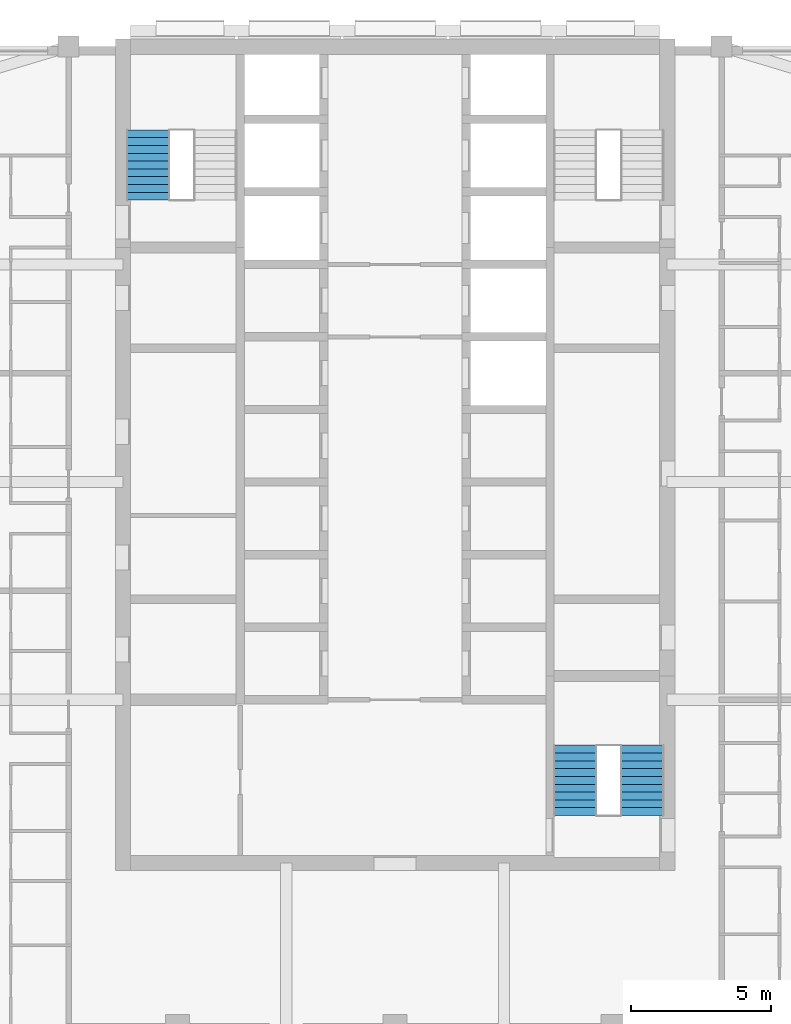
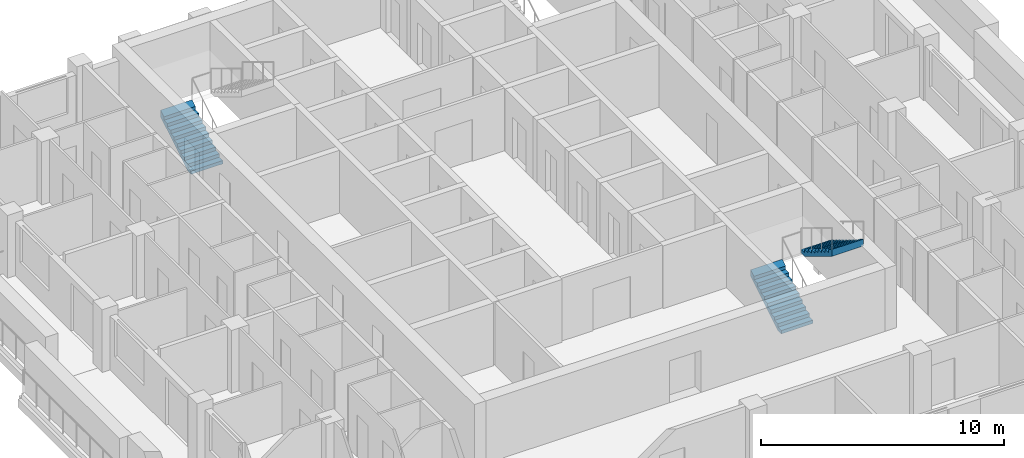
# One storey, part 10 of 14: 3 stair flights, 2 elements without a shape of their own.
"""IFC4 building model written with IfcOpenShell, lengths in metres."""

from ifc_helpers import new_model, si_unit, direction, frame, origin, place, context, subcontext, project, spatial, triangles, material, type_object, element, aggregate, save


model = new_model("IFC4")

# Units and contexts
model_context = context("Model", 3, precision=1e-05, world=origin(), true_north=direction((0.0, 1.0)))
body_context = subcontext(model_context, "Body", "Model", "MODEL_VIEW")
ifc_project = project(units=[si_unit("LENGTHUNIT", "METRE"), si_unit("AREAUNIT", "SQUARE_METRE"), si_unit("VOLUMEUNIT", "CUBIC_METRE"), si_unit("PLANEANGLEUNIT", "RADIAN"), si_unit("MASSUNIT", "GRAM", prefix="KILO")], contexts=[model_context])

# Site, building, storey
site_placement = place(None, origin())
site = spatial("IfcSite", under=ifc_project, at=site_placement, CompositionType="ELEMENT")
building_placement = place(site_placement, origin())
building = spatial("IfcBuilding", under=site, at=building_placement, Name="Ludao Terraces", CompositionType="ELEMENT")
storey_placement = place(building_placement, frame((0.0, 0.0, 182.60009765625)))
storey = spatial("IfcBuildingStorey", under=building, at=storey_placement, Name="L49", CompositionType="ELEMENT", Elevation=182.60009765625)

# Stair, stair flight
ifc_material = material(Name="Concrete C40", Category="concrete")
stair_type = type_object("IfcStairType", Name="INT Stair", PredefinedType="HALF_TURN_STAIR", material=ifc_material)
stair_1_placement = place(storey_placement, origin())
stair_1 = element("IfcStair", 1, at=stair_1_placement, inside=storey, type_object=stair_type, Name="EXIT STAIR 1", PredefinedType="HALF_TURN_STAIR")
stair_flight_type = type_object("IfcStairFlightType", Name="INT Stair flight", PredefinedType="STRAIGHT", material=ifc_material)
stair_flight_1_placement = place(storey_placement, frame((76.14990234375, 79.0, 0.0), z_axis=(0.0, 0.0, 1.0), x_axis=(0.0, 1.0, 0.0)))
stair_flight_1 = element("IfcStairFlight", 2, at=stair_flight_1_placement, type_object=stair_flight_type, Name="ST1 flight 1", NumberOfRisers=10, NumberOfTreads=9, PredefinedType="STRAIGHT", RiserHeight=0.17, TreadLength=0.28, context=body_context, shape_type="Tessellation", body=[
    triangles([(0.0, -0.75, 0.0), (0.0, -0.5, 0.0), (0.0, -0.25, 0.0), (0.0, 0.0, 0.0), (0.0, 0.25, 0.0), (0.0, 0.5, 0.0), (0.0, 0.75, 0.0), (0.0, -0.75, 0.169921875), (0.0, -0.5, 0.169921875), (0.0, -0.25, 0.169921875), (0.0, 0.0, 0.169921875), (0.0, 0.25, 0.169921875), (0.0, 0.5, 0.169921875), (0.0, 0.75, 0.169921875), (0.280029296875, -0.75, 0.169921875), (0.280029296875, -0.5, 0.169921875), (0.280029296875, -0.25, 0.169921875), (0.280029296875, 0.0, 0.169921875), (0.280029296875, 0.25, 0.169921875), (0.280029296875, 0.5, 0.169921875), (0.280029296875, 0.75, 0.169921875), (0.280029296875, -0.75, 0.340087890625), (0.280029296875, -0.5, 0.340087890625), (0.280029296875, -0.25, 0.340087890625), (0.280029296875, 0.0, 0.340087890625), (0.280029296875, 0.25, 0.340087890625), (0.280029296875, 0.5, 0.340087890625), (0.280029296875, 0.75, 0.340087890625), (0.56005859375, -0.75, 0.340087890625), (0.56005859375, -0.5, 0.340087890625), (0.56005859375, -0.25, 0.340087890625), (0.56005859375, 0.0, 0.340087890625), (0.56005859375, 0.25, 0.340087890625), (0.56005859375, 0.5, 0.340087890625), (0.56005859375, 0.75, 0.340087890625), (0.56005859375, -0.75, 0.510009765625), (0.56005859375, -0.5, 0.510009765625), (0.56005859375, -0.25, 0.510009765625), (0.56005859375, 0.0, 0.510009765625), (0.56005859375, 0.25, 0.510009765625), (0.56005859375, 0.5, 0.510009765625), (0.56005859375, 0.75, 0.510009765625), (0.840087890625, -0.75, 0.510009765625), (0.840087890625, -0.5, 0.510009765625), (0.840087890625, -0.25, 0.510009765625), (0.840087890625, 0.0, 0.510009765625), (0.840087890625, 0.25, 0.510009765625), (0.840087890625, 0.5, 0.510009765625), (0.840087890625, 0.75, 0.510009765625), (0.840087890625, -0.75, 0.679931640625), (0.840087890625, -0.5, 0.679931640625), (0.840087890625, -0.25, 0.679931640625), (0.840087890625, 0.0, 0.679931640625), (0.840087890625, 0.25, 0.679931640625), (0.840087890625, 0.5, 0.679931640625), (0.840087890625, 0.75, 0.679931640625), (1.1201171875, -0.75, 0.679931640625), (1.1201171875, -0.5, 0.679931640625), (1.1201171875, -0.25, 0.679931640625), (1.1201171875, 0.0, 0.679931640625), (1.1201171875, 0.25, 0.679931640625), (1.1201171875, 0.5, 0.679931640625), (1.1201171875, 0.75, 0.679931640625), (1.1201171875, -0.75, 0.85009765625), (1.1201171875, -0.5, 0.85009765625), (1.1201171875, -0.25, 0.85009765625), (1.1201171875, 0.0, 0.85009765625), (1.1201171875, 0.25, 0.85009765625), (1.1201171875, 0.5, 0.85009765625), (1.1201171875, 0.75, 0.85009765625), (1.39990234375, -0.75, 0.85009765625), (1.39990234375, -0.5, 0.85009765625), (1.39990234375, -0.25, 0.85009765625), (1.39990234375, 0.0, 0.85009765625), (1.39990234375, 0.25, 0.85009765625), (1.39990234375, 0.5, 0.85009765625), (1.39990234375, 0.75, 0.85009765625), (1.39990234375, -0.75, 1.02001953125), (1.39990234375, -0.5, 1.02001953125), (1.39990234375, -0.25, 1.02001953125), (1.39990234375, 0.0, 1.02001953125), (1.39990234375, 0.25, 1.02001953125), (1.39990234375, 0.5, 1.02001953125), (1.39990234375, 0.75, 1.02001953125), (1.679931640625, -0.75, 1.02001953125), (1.679931640625, -0.5, 1.02001953125), (1.679931640625, -0.25, 1.02001953125), (1.679931640625, 0.0, 1.02001953125), (1.679931640625, 0.25, 1.02001953125), (1.679931640625, 0.5, 1.02001953125), (1.679931640625, 0.75, 1.02001953125), (1.679931640625, -0.75, 1.18994140625), (1.679931640625, -0.5, 1.18994140625), (1.679931640625, -0.25, 1.18994140625), (1.679931640625, 0.0, 1.18994140625), (1.679931640625, 0.25, 1.18994140625), (1.679931640625, 0.5, 1.18994140625), (1.679931640625, 0.75, 1.18994140625), (1.9599609375, -0.75, 1.18994140625), (1.9599609375, -0.5, 1.18994140625), (1.9599609375, -0.25, 1.18994140625), (1.9599609375, 0.0, 1.18994140625), (1.9599609375, 0.25, 1.18994140625), (1.9599609375, 0.5, 1.18994140625), (1.9599609375, 0.75, 1.18994140625), (1.9599609375, -0.75, 1.360107421875), (1.9599609375, -0.5, 1.360107421875), (1.9599609375, -0.25, 1.360107421875), (1.9599609375, 0.0, 1.360107421875), (1.9599609375, 0.25, 1.360107421875), (1.9599609375, 0.5, 1.360107421875), (1.9599609375, 0.75, 1.360107421875), (2.239990234375, -0.75, 1.360107421875), (2.239990234375, -0.5, 1.360107421875), (2.239990234375, -0.25, 1.360107421875), (2.239990234375, 0.0, 1.360107421875), (2.239990234375, 0.25, 1.360107421875), (2.239990234375, 0.5, 1.360107421875), (2.239990234375, 0.75, 1.360107421875), (2.239990234375, -0.75, 1.530029296875), (2.239990234375, -0.5, 1.530029296875), (2.239990234375, -0.25, 1.530029296875), (2.239990234375, 0.0, 1.530029296875), (2.239990234375, 0.25, 1.530029296875), (2.239990234375, 0.5, 1.530029296875), (2.239990234375, 0.75, 1.530029296875), (2.52001953125, -0.75, 1.699951171875), (2.52001953125, -0.5, 1.699951171875), (2.52001953125, -0.25, 1.699951171875), (2.52001953125, 0.0, 1.699951171875), (2.52001953125, 0.25, 1.699951171875), (2.52001953125, 0.5, 1.699951171875), (2.52001953125, 0.75, 1.699951171875), (2.52001953125, -0.75, 1.354736328125), (2.52001953125, -0.5, 1.354736328125), (2.52001953125, -0.25, 1.354736328125), (2.52001953125, 0.0, 1.354736328125), (2.52001953125, 0.25, 1.354736328125), (2.52001953125, 0.5, 1.354736328125), (2.52001953125, 0.75, 1.354736328125), (0.288818359375, -0.75, 0.0), (0.288818359375, -0.5, 0.0), (0.288818359375, -0.25, 0.0), (0.288818359375, 0.0, 0.0), (0.288818359375, 0.25, 0.0), (0.288818359375, 0.5, 0.0), (0.288818359375, 0.75, 0.0)], [[1, 141, 134], [7, 140, 147], [134, 127, 120], [140, 126, 133], [134, 120, 113], [140, 119, 126], [134, 113, 106], [140, 112, 119], [134, 106, 99], [140, 105, 112], [99, 92, 85], [105, 91, 98], [134, 99, 85], [140, 91, 105], [85, 78, 71], [91, 77, 84], [134, 85, 71], [140, 77, 91], [71, 64, 57], [77, 63, 70], [134, 71, 57], [140, 63, 77], [57, 50, 43], [63, 49, 56], [134, 57, 43], [140, 49, 63], [43, 36, 29], [49, 35, 42], [134, 43, 29], [140, 35, 49], [29, 22, 15], [35, 21, 28], [134, 29, 15], [140, 21, 35], [1, 134, 15], [7, 21, 140], [15, 8, 1], [21, 7, 14], [1, 9, 2], [1, 8, 9], [2, 10, 3], [2, 9, 10], [3, 11, 4], [3, 10, 11], [4, 12, 5], [4, 11, 12], [5, 13, 6], [5, 12, 13], [6, 14, 7], [6, 13, 14], [8, 16, 9], [8, 15, 16], [9, 17, 10], [9, 16, 17], [10, 18, 11], [10, 17, 18], [11, 19, 12], [11, 18, 19], [12, 20, 13], [12, 19, 20], [13, 21, 14], [13, 20, 21], [15, 23, 16], [15, 22, 23], [16, 24, 17], [16, 23, 24], [17, 25, 18], [17, 24, 25], [18, 26, 19], [18, 25, 26], [19, 27, 20], [19, 26, 27], [20, 28, 21], [20, 27, 28], [22, 30, 23], [22, 29, 30], [23, 31, 24], [23, 30, 31], [24, 32, 25], [24, 31, 32], [25, 33, 26], [25, 32, 33], [26, 34, 27], [26, 33, 34], [27, 35, 28], [27, 34, 35], [29, 37, 30], [29, 36, 37], [30, 38, 31], [30, 37, 38], [31, 39, 32], [31, 38, 39], [32, 40, 33], [32, 39, 40], [33, 41, 34], [33, 40, 41], [34, 42, 35], [34, 41, 42], [36, 44, 37], [36, 43, 44], [37, 45, 38], [37, 44, 45], [38, 46, 39], [38, 45, 46], [39, 47, 40], [39, 46, 47], [40, 48, 41], [40, 47, 48], [41, 49, 42], [41, 48, 49], [43, 51, 44], [43, 50, 51], [44, 52, 45], [44, 51, 52], [45, 53, 46], [45, 52, 53], [46, 54, 47], [46, 53, 54], [47, 55, 48], [47, 54, 55], [48, 56, 49], [48, 55, 56], [50, 58, 51], [50, 57, 58], [51, 59, 52], [51, 58, 59], [52, 60, 53], [52, 59, 60], [53, 61, 54], [53, 60, 61], [54, 62, 55], [54, 61, 62], [55, 63, 56], [55, 62, 63], [57, 65, 58], [57, 64, 65], [58, 66, 59], [58, 65, 66], [59, 67, 60], [59, 66, 67], [60, 68, 61], [60, 67, 68], [61, 69, 62], [61, 68, 69], [62, 70, 63], [62, 69, 70], [64, 72, 65], [64, 71, 72], [65, 73, 66], [65, 72, 73], [66, 74, 67], [66, 73, 74], [67, 75, 68], [67, 74, 75], [68, 76, 69], [68, 75, 76], [69, 77, 70], [69, 76, 77], [71, 79, 72], [71, 78, 79], [72, 80, 73], [72, 79, 80], [73, 81, 74], [73, 80, 81], [74, 82, 75], [74, 81, 82], [75, 83, 76], [75, 82, 83], [76, 84, 77], [76, 83, 84], [78, 86, 79], [78, 85, 86], [79, 87, 80], [79, 86, 87], [80, 88, 81], [80, 87, 88], [81, 89, 82], [81, 88, 89], [82, 90, 83], [82, 89, 90], [83, 91, 84], [83, 90, 91], [85, 93, 86], [85, 92, 93], [86, 94, 87], [86, 93, 94], [87, 95, 88], [87, 94, 95], [88, 96, 89], [88, 95, 96], [89, 97, 90], [89, 96, 97], [90, 98, 91], [90, 97, 98], [92, 100, 93], [92, 99, 100], [93, 101, 94], [93, 100, 101], [94, 102, 95], [94, 101, 102], [95, 103, 96], [95, 102, 103], [96, 104, 97], [96, 103, 104], [97, 105, 98], [97, 104, 105], [99, 107, 100], [99, 106, 107], [100, 108, 101], [100, 107, 108], [101, 109, 102], [101, 108, 109], [102, 110, 103], [102, 109, 110], [103, 111, 104], [103, 110, 111], [104, 112, 105], [104, 111, 112], [106, 114, 107], [106, 113, 114], [107, 115, 108], [107, 114, 115], [108, 116, 109], [108, 115, 116], [109, 117, 110], [109, 116, 117], [110, 118, 111], [110, 117, 118], [111, 119, 112], [111, 118, 119], [113, 121, 114], [113, 120, 121], [114, 122, 115], [114, 121, 122], [115, 123, 116], [115, 122, 123], [116, 124, 117], [116, 123, 124], [117, 125, 118], [117, 124, 125], [118, 126, 119], [118, 125, 126], [120, 128, 121], [120, 127, 128], [121, 129, 122], [121, 128, 129], [122, 130, 123], [122, 129, 130], [123, 131, 124], [123, 130, 131], [124, 132, 125], [124, 131, 132], [125, 133, 126], [125, 132, 133], [127, 135, 128], [127, 134, 135], [128, 136, 129], [128, 135, 136], [129, 137, 130], [129, 136, 137], [130, 138, 131], [130, 137, 138], [131, 139, 132], [131, 138, 139], [132, 140, 133], [132, 139, 140], [134, 142, 135], [134, 141, 142], [135, 143, 136], [135, 142, 143], [136, 144, 137], [136, 143, 144], [137, 145, 138], [137, 144, 145], [138, 146, 139], [138, 145, 146], [139, 147, 140], [139, 146, 147], [141, 2, 142], [141, 1, 2], [142, 3, 143], [142, 2, 3], [143, 4, 144], [143, 3, 4], [144, 5, 145], [144, 4, 5], [145, 6, 146], [145, 5, 6], [146, 7, 147], [146, 6, 7]], closed=True),
])
aggregate(stair_1, [stair_flight_1])

# Stair, stair flights
stair_2_placement = place(storey_placement, origin())
stair_2 = element("IfcStair", 3, at=stair_2_placement, inside=storey, type_object=stair_type, Name="EXIT STAIR 3", PredefinedType="HALF_TURN_STAIR")
stair_flight_2_placement = place(storey_placement, frame((91.449951171875, 56.949951171875, 0.0), z_axis=(0.0, 0.0, 1.0), x_axis=(0.0, 1.0, 0.0)))
stair_flight_2 = element("IfcStairFlight", 4, at=stair_flight_2_placement, type_object=stair_flight_type, Name="ST3 flight 1", NumberOfRisers=10, NumberOfTreads=9, PredefinedType="STRAIGHT", RiserHeight=0.17, TreadLength=0.28, context=body_context, shape_type="Tessellation", body=[
    triangles([(0.0, -0.75, 0.0), (0.0, -0.5, 0.0), (0.0, -0.25, 0.0), (0.0, 0.0, 0.0), (0.0, 0.25, 0.0), (0.0, 0.5, 0.0), (0.0, 0.75, 0.0), (0.0, -0.75, 0.169921875), (0.0, -0.5, 0.169921875), (0.0, -0.25, 0.169921875), (0.0, 0.0, 0.169921875), (0.0, 0.25, 0.169921875), (0.0, 0.5, 0.169921875), (0.0, 0.75, 0.169921875), (0.280029296875, -0.75, 0.169921875), (0.280029296875, -0.5, 0.169921875), (0.280029296875, -0.25, 0.169921875), (0.280029296875, 0.0, 0.169921875), (0.280029296875, 0.25, 0.169921875), (0.280029296875, 0.5, 0.169921875), (0.280029296875, 0.75, 0.169921875), (0.280029296875, -0.75, 0.340087890625), (0.280029296875, -0.5, 0.340087890625), (0.280029296875, -0.25, 0.340087890625), (0.280029296875, 0.0, 0.340087890625), (0.280029296875, 0.25, 0.340087890625), (0.280029296875, 0.5, 0.340087890625), (0.280029296875, 0.75, 0.340087890625), (0.56005859375, -0.75, 0.340087890625), (0.56005859375, -0.5, 0.340087890625), (0.56005859375, -0.25, 0.340087890625), (0.56005859375, 0.0, 0.340087890625), (0.56005859375, 0.25, 0.340087890625), (0.56005859375, 0.5, 0.340087890625), (0.56005859375, 0.75, 0.340087890625), (0.56005859375, -0.75, 0.510009765625), (0.56005859375, -0.5, 0.510009765625), (0.56005859375, -0.25, 0.510009765625), (0.56005859375, 0.0, 0.510009765625), (0.56005859375, 0.25, 0.510009765625), (0.56005859375, 0.5, 0.510009765625), (0.56005859375, 0.75, 0.510009765625), (0.840087890625, -0.75, 0.510009765625), (0.840087890625, -0.5, 0.510009765625), (0.840087890625, -0.25, 0.510009765625), (0.840087890625, 0.0, 0.510009765625), (0.840087890625, 0.25, 0.510009765625), (0.840087890625, 0.5, 0.510009765625), (0.840087890625, 0.75, 0.510009765625), (0.840087890625, -0.75, 0.679931640625), (0.840087890625, -0.5, 0.679931640625), (0.840087890625, -0.25, 0.679931640625), (0.840087890625, 0.0, 0.679931640625), (0.840087890625, 0.25, 0.679931640625), (0.840087890625, 0.5, 0.679931640625), (0.840087890625, 0.75, 0.679931640625), (1.1201171875, -0.75, 0.679931640625), (1.1201171875, -0.5, 0.679931640625), (1.1201171875, -0.25, 0.679931640625), (1.1201171875, 0.0, 0.679931640625), (1.1201171875, 0.25, 0.679931640625), (1.1201171875, 0.5, 0.679931640625), (1.1201171875, 0.75, 0.679931640625), (1.1201171875, -0.75, 0.85009765625), (1.1201171875, -0.5, 0.85009765625), (1.1201171875, -0.25, 0.85009765625), (1.1201171875, 0.0, 0.85009765625), (1.1201171875, 0.25, 0.85009765625), (1.1201171875, 0.5, 0.85009765625), (1.1201171875, 0.75, 0.85009765625), (1.39990234375, -0.75, 0.85009765625), (1.39990234375, -0.5, 0.85009765625), (1.39990234375, -0.25, 0.85009765625), (1.39990234375, 0.0, 0.85009765625), (1.39990234375, 0.25, 0.85009765625), (1.39990234375, 0.5, 0.85009765625), (1.39990234375, 0.75, 0.85009765625), (1.39990234375, -0.75, 1.02001953125), (1.39990234375, -0.5, 1.02001953125), (1.39990234375, -0.25, 1.02001953125), (1.39990234375, 0.0, 1.02001953125), (1.39990234375, 0.25, 1.02001953125), (1.39990234375, 0.5, 1.02001953125), (1.39990234375, 0.75, 1.02001953125), (1.679931640625, -0.75, 1.02001953125), (1.679931640625, -0.5, 1.02001953125), (1.679931640625, -0.25, 1.02001953125), (1.679931640625, 0.0, 1.02001953125), (1.679931640625, 0.25, 1.02001953125), (1.679931640625, 0.5, 1.02001953125), (1.679931640625, 0.75, 1.02001953125), (1.679931640625, -0.75, 1.18994140625), (1.679931640625, -0.5, 1.18994140625), (1.679931640625, -0.25, 1.18994140625), (1.679931640625, 0.0, 1.18994140625), (1.679931640625, 0.25, 1.18994140625), (1.679931640625, 0.5, 1.18994140625), (1.679931640625, 0.75, 1.18994140625), (1.9599609375, -0.75, 1.18994140625), (1.9599609375, -0.5, 1.18994140625), (1.9599609375, -0.25, 1.18994140625), (1.9599609375, 0.0, 1.18994140625), (1.9599609375, 0.25, 1.18994140625), (1.9599609375, 0.5, 1.18994140625), (1.9599609375, 0.75, 1.18994140625), (1.9599609375, -0.75, 1.360107421875), (1.9599609375, -0.5, 1.360107421875), (1.9599609375, -0.25, 1.360107421875), (1.9599609375, 0.0, 1.360107421875), (1.9599609375, 0.25, 1.360107421875), (1.9599609375, 0.5, 1.360107421875), (1.9599609375, 0.75, 1.360107421875), (2.239990234375, -0.75, 1.360107421875), (2.239990234375, -0.5, 1.360107421875), (2.239990234375, -0.25, 1.360107421875), (2.239990234375, 0.0, 1.360107421875), (2.239990234375, 0.25, 1.360107421875), (2.239990234375, 0.5, 1.360107421875), (2.239990234375, 0.75, 1.360107421875), (2.239990234375, -0.75, 1.530029296875), (2.239990234375, -0.5, 1.530029296875), (2.239990234375, -0.25, 1.530029296875), (2.239990234375, 0.0, 1.530029296875), (2.239990234375, 0.25, 1.530029296875), (2.239990234375, 0.5, 1.530029296875), (2.239990234375, 0.75, 1.530029296875), (2.52001953125, -0.75, 1.699951171875), (2.52001953125, -0.5, 1.699951171875), (2.52001953125, -0.25, 1.699951171875), (2.52001953125, 0.0, 1.699951171875), (2.52001953125, 0.25, 1.699951171875), (2.52001953125, 0.5, 1.699951171875), (2.52001953125, 0.75, 1.699951171875), (2.52001953125, -0.75, 1.354736328125), (2.52001953125, -0.5, 1.354736328125), (2.52001953125, -0.25, 1.354736328125), (2.52001953125, 0.0, 1.354736328125), (2.52001953125, 0.25, 1.354736328125), (2.52001953125, 0.5, 1.354736328125), (2.52001953125, 0.75, 1.354736328125), (0.288818359375, -0.75, 0.0), (0.288818359375, -0.5, 0.0), (0.288818359375, -0.25, 0.0), (0.288818359375, 0.0, 0.0), (0.288818359375, 0.25, 0.0), (0.288818359375, 0.5, 0.0), (0.288818359375, 0.75, 0.0)], [[1, 141, 134], [7, 140, 147], [134, 127, 120], [140, 126, 133], [134, 120, 113], [140, 119, 126], [134, 113, 106], [140, 112, 119], [134, 106, 99], [140, 105, 112], [99, 92, 85], [105, 91, 98], [134, 99, 85], [140, 91, 105], [85, 78, 71], [91, 77, 84], [134, 85, 71], [140, 77, 91], [71, 64, 57], [77, 63, 70], [134, 71, 57], [140, 63, 77], [57, 50, 43], [63, 49, 56], [134, 57, 43], [140, 49, 63], [43, 36, 29], [49, 35, 42], [134, 43, 29], [140, 35, 49], [29, 22, 15], [35, 21, 28], [134, 29, 15], [140, 21, 35], [1, 134, 15], [7, 21, 140], [15, 8, 1], [21, 7, 14], [1, 9, 2], [1, 8, 9], [2, 10, 3], [2, 9, 10], [3, 11, 4], [3, 10, 11], [4, 12, 5], [4, 11, 12], [5, 13, 6], [5, 12, 13], [6, 14, 7], [6, 13, 14], [8, 16, 9], [8, 15, 16], [9, 17, 10], [9, 16, 17], [10, 18, 11], [10, 17, 18], [11, 19, 12], [11, 18, 19], [12, 20, 13], [12, 19, 20], [13, 21, 14], [13, 20, 21], [15, 23, 16], [15, 22, 23], [16, 24, 17], [16, 23, 24], [17, 25, 18], [17, 24, 25], [18, 26, 19], [18, 25, 26], [19, 27, 20], [19, 26, 27], [20, 28, 21], [20, 27, 28], [22, 30, 23], [22, 29, 30], [23, 31, 24], [23, 30, 31], [24, 32, 25], [24, 31, 32], [25, 33, 26], [25, 32, 33], [26, 34, 27], [26, 33, 34], [27, 35, 28], [27, 34, 35], [29, 37, 30], [29, 36, 37], [30, 38, 31], [30, 37, 38], [31, 39, 32], [31, 38, 39], [32, 40, 33], [32, 39, 40], [33, 41, 34], [33, 40, 41], [34, 42, 35], [34, 41, 42], [36, 44, 37], [36, 43, 44], [37, 45, 38], [37, 44, 45], [38, 46, 39], [38, 45, 46], [39, 47, 40], [39, 46, 47], [40, 48, 41], [40, 47, 48], [41, 49, 42], [41, 48, 49], [43, 51, 44], [43, 50, 51], [44, 52, 45], [44, 51, 52], [45, 53, 46], [45, 52, 53], [46, 54, 47], [46, 53, 54], [47, 55, 48], [47, 54, 55], [48, 56, 49], [48, 55, 56], [50, 58, 51], [50, 57, 58], [51, 59, 52], [51, 58, 59], [52, 60, 53], [52, 59, 60], [53, 61, 54], [53, 60, 61], [54, 62, 55], [54, 61, 62], [55, 63, 56], [55, 62, 63], [57, 65, 58], [57, 64, 65], [58, 66, 59], [58, 65, 66], [59, 67, 60], [59, 66, 67], [60, 68, 61], [60, 67, 68], [61, 69, 62], [61, 68, 69], [62, 70, 63], [62, 69, 70], [64, 72, 65], [64, 71, 72], [65, 73, 66], [65, 72, 73], [66, 74, 67], [66, 73, 74], [67, 75, 68], [67, 74, 75], [68, 76, 69], [68, 75, 76], [69, 77, 70], [69, 76, 77], [71, 79, 72], [71, 78, 79], [72, 80, 73], [72, 79, 80], [73, 81, 74], [73, 80, 81], [74, 82, 75], [74, 81, 82], [75, 83, 76], [75, 82, 83], [76, 84, 77], [76, 83, 84], [78, 86, 79], [78, 85, 86], [79, 87, 80], [79, 86, 87], [80, 88, 81], [80, 87, 88], [81, 89, 82], [81, 88, 89], [82, 90, 83], [82, 89, 90], [83, 91, 84], [83, 90, 91], [85, 93, 86], [85, 92, 93], [86, 94, 87], [86, 93, 94], [87, 95, 88], [87, 94, 95], [88, 96, 89], [88, 95, 96], [89, 97, 90], [89, 96, 97], [90, 98, 91], [90, 97, 98], [92, 100, 93], [92, 99, 100], [93, 101, 94], [93, 100, 101], [94, 102, 95], [94, 101, 102], [95, 103, 96], [95, 102, 103], [96, 104, 97], [96, 103, 104], [97, 105, 98], [97, 104, 105], [99, 107, 100], [99, 106, 107], [100, 108, 101], [100, 107, 108], [101, 109, 102], [101, 108, 109], [102, 110, 103], [102, 109, 110], [103, 111, 104], [103, 110, 111], [104, 112, 105], [104, 111, 112], [106, 114, 107], [106, 113, 114], [107, 115, 108], [107, 114, 115], [108, 116, 109], [108, 115, 116], [109, 117, 110], [109, 116, 117], [110, 118, 111], [110, 117, 118], [111, 119, 112], [111, 118, 119], [113, 121, 114], [113, 120, 121], [114, 122, 115], [114, 121, 122], [115, 123, 116], [115, 122, 123], [116, 124, 117], [116, 123, 124], [117, 125, 118], [117, 124, 125], [118, 126, 119], [118, 125, 126], [120, 128, 121], [120, 127, 128], [121, 129, 122], [121, 128, 129], [122, 130, 123], [122, 129, 130], [123, 131, 124], [123, 130, 131], [124, 132, 125], [124, 131, 132], [125, 133, 126], [125, 132, 133], [127, 135, 128], [127, 134, 135], [128, 136, 129], [128, 135, 136], [129, 137, 130], [129, 136, 137], [130, 138, 131], [130, 137, 138], [131, 139, 132], [131, 138, 139], [132, 140, 133], [132, 139, 140], [134, 142, 135], [134, 141, 142], [135, 143, 136], [135, 142, 143], [136, 144, 137], [136, 143, 144], [137, 145, 138], [137, 144, 145], [138, 146, 139], [138, 145, 146], [139, 147, 140], [139, 146, 147], [141, 2, 142], [141, 1, 2], [142, 3, 143], [142, 2, 3], [143, 4, 144], [143, 3, 4], [144, 5, 145], [144, 4, 5], [145, 6, 146], [145, 5, 6], [146, 7, 147], [146, 6, 7]], closed=True),
])
stair_flight_3_placement = place(storey_placement, frame((93.85009765625, 59.469970703125, 1.699951171875), z_axis=(0.0, 0.0, 1.0), x_axis=(0.0, -1.0, 0.0)))
stair_flight_3 = element("IfcStairFlight", 5, at=stair_flight_3_placement, type_object=stair_flight_type, Name="ST3 flight 2", NumberOfRisers=10, NumberOfTreads=9, PredefinedType="STRAIGHT", RiserHeight=0.17, TreadLength=0.28, context=body_context, shape_type="Tessellation", body=[
    triangles([(0.0, -0.75, 0.0), (0.0, -0.5, 0.0), (0.0, -0.25, 0.0), (0.0, 0.0, 0.0), (0.0, 0.25, 0.0), (0.0, 0.5, 0.0), (0.0, 0.75, 0.0), (0.0, -0.75, 0.169921875), (0.0, -0.5, 0.169921875), (0.0, -0.25, 0.169921875), (0.0, 0.0, 0.169921875), (0.0, 0.25, 0.169921875), (0.0, 0.5, 0.169921875), (0.0, 0.75, 0.169921875), (0.280029296875, -0.75, 0.169921875), (0.280029296875, -0.5, 0.169921875), (0.280029296875, -0.25, 0.169921875), (0.280029296875, 0.0, 0.169921875), (0.280029296875, 0.25, 0.169921875), (0.280029296875, 0.5, 0.169921875), (0.280029296875, 0.75, 0.169921875), (0.280029296875, -0.75, 0.340087890625), (0.280029296875, -0.5, 0.340087890625), (0.280029296875, -0.25, 0.340087890625), (0.280029296875, 0.0, 0.340087890625), (0.280029296875, 0.25, 0.340087890625), (0.280029296875, 0.5, 0.340087890625), (0.280029296875, 0.75, 0.340087890625), (0.56005859375, -0.75, 0.340087890625), (0.56005859375, -0.5, 0.340087890625), (0.56005859375, -0.25, 0.340087890625), (0.56005859375, 0.0, 0.340087890625), (0.56005859375, 0.25, 0.340087890625), (0.56005859375, 0.5, 0.340087890625), (0.56005859375, 0.75, 0.340087890625), (0.56005859375, -0.75, 0.510009765625), (0.56005859375, -0.5, 0.510009765625), (0.56005859375, -0.25, 0.510009765625), (0.56005859375, 0.0, 0.510009765625), (0.56005859375, 0.25, 0.510009765625), (0.56005859375, 0.5, 0.510009765625), (0.56005859375, 0.75, 0.510009765625), (0.840087890625, -0.75, 0.510009765625), (0.840087890625, -0.5, 0.510009765625), (0.840087890625, -0.25, 0.510009765625), (0.840087890625, 0.0, 0.510009765625), (0.840087890625, 0.25, 0.510009765625), (0.840087890625, 0.5, 0.510009765625), (0.840087890625, 0.75, 0.510009765625), (0.840087890625, -0.75, 0.679931640625), (0.840087890625, -0.5, 0.679931640625), (0.840087890625, -0.25, 0.679931640625), (0.840087890625, 0.0, 0.679931640625), (0.840087890625, 0.25, 0.679931640625), (0.840087890625, 0.5, 0.679931640625), (0.840087890625, 0.75, 0.679931640625), (1.1201171875, -0.75, 0.679931640625), (1.1201171875, -0.5, 0.679931640625), (1.1201171875, -0.25, 0.679931640625), (1.1201171875, 0.0, 0.679931640625), (1.1201171875, 0.25, 0.679931640625), (1.1201171875, 0.5, 0.679931640625), (1.1201171875, 0.75, 0.679931640625), (1.1201171875, -0.75, 0.85009765625), (1.1201171875, -0.5, 0.85009765625), (1.1201171875, -0.25, 0.85009765625), (1.1201171875, 0.0, 0.85009765625), (1.1201171875, 0.25, 0.85009765625), (1.1201171875, 0.5, 0.85009765625), (1.1201171875, 0.75, 0.85009765625), (1.39990234375, -0.75, 0.85009765625), (1.39990234375, -0.5, 0.85009765625), (1.39990234375, -0.25, 0.85009765625), (1.39990234375, 0.0, 0.85009765625), (1.39990234375, 0.25, 0.85009765625), (1.39990234375, 0.5, 0.85009765625), (1.39990234375, 0.75, 0.85009765625), (1.39990234375, -0.75, 1.02001953125), (1.39990234375, -0.5, 1.02001953125), (1.39990234375, -0.25, 1.02001953125), (1.39990234375, 0.0, 1.02001953125), (1.39990234375, 0.25, 1.02001953125), (1.39990234375, 0.5, 1.02001953125), (1.39990234375, 0.75, 1.02001953125), (1.679931640625, -0.75, 1.02001953125), (1.679931640625, -0.5, 1.02001953125), (1.679931640625, -0.25, 1.02001953125), (1.679931640625, 0.0, 1.02001953125), (1.679931640625, 0.25, 1.02001953125), (1.679931640625, 0.5, 1.02001953125), (1.679931640625, 0.75, 1.02001953125), (1.679931640625, -0.75, 1.18994140625), (1.679931640625, -0.5, 1.18994140625), (1.679931640625, -0.25, 1.18994140625), (1.679931640625, 0.0, 1.18994140625), (1.679931640625, 0.25, 1.18994140625), (1.679931640625, 0.5, 1.18994140625), (1.679931640625, 0.75, 1.18994140625), (1.9599609375, -0.75, 1.18994140625), (1.9599609375, -0.5, 1.18994140625), (1.9599609375, -0.25, 1.18994140625), (1.9599609375, 0.0, 1.18994140625), (1.9599609375, 0.25, 1.18994140625), (1.9599609375, 0.5, 1.18994140625), (1.9599609375, 0.75, 1.18994140625), (1.9599609375, -0.75, 1.360107421875), (1.9599609375, -0.5, 1.360107421875), (1.9599609375, -0.25, 1.360107421875), (1.9599609375, 0.0, 1.360107421875), (1.9599609375, 0.25, 1.360107421875), (1.9599609375, 0.5, 1.360107421875), (1.9599609375, 0.75, 1.360107421875), (2.239990234375, -0.75, 1.360107421875), (2.239990234375, -0.5, 1.360107421875), (2.239990234375, -0.25, 1.360107421875), (2.239990234375, 0.0, 1.360107421875), (2.239990234375, 0.25, 1.360107421875), (2.239990234375, 0.5, 1.360107421875), (2.239990234375, 0.75, 1.360107421875), (2.239990234375, -0.75, 1.530029296875), (2.239990234375, -0.5, 1.530029296875), (2.239990234375, -0.25, 1.530029296875), (2.239990234375, 0.0, 1.530029296875), (2.239990234375, 0.25, 1.530029296875), (2.239990234375, 0.5, 1.530029296875), (2.239990234375, 0.75, 1.530029296875), (2.52001953125, -0.75, 1.699951171875), (2.52001953125, -0.5, 1.699951171875), (2.52001953125, -0.25, 1.699951171875), (2.52001953125, 0.0, 1.699951171875), (2.52001953125, 0.25, 1.699951171875), (2.52001953125, 0.5, 1.699951171875), (2.52001953125, 0.75, 1.699951171875), (2.52001953125, -0.75, 1.354736328125), (2.52001953125, -0.5, 1.354736328125), (2.52001953125, -0.25, 1.354736328125), (2.52001953125, 0.0, 1.354736328125), (2.52001953125, 0.25, 1.354736328125), (2.52001953125, 0.5, 1.354736328125), (2.52001953125, 0.75, 1.354736328125), (0.288818359375, -0.75, 0.0), (0.288818359375, -0.5, 0.0), (0.288818359375, -0.25, 0.0), (0.288818359375, 0.0, 0.0), (0.288818359375, 0.25, 0.0), (0.288818359375, 0.5, 0.0), (0.288818359375, 0.75, 0.0)], [[1, 141, 134], [7, 140, 147], [134, 127, 120], [140, 126, 133], [134, 120, 113], [140, 119, 126], [134, 113, 106], [140, 112, 119], [134, 106, 99], [140, 105, 112], [99, 92, 85], [105, 91, 98], [134, 99, 85], [140, 91, 105], [85, 78, 71], [91, 77, 84], [134, 85, 71], [140, 77, 91], [71, 64, 57], [77, 63, 70], [134, 71, 57], [140, 63, 77], [57, 50, 43], [63, 49, 56], [134, 57, 43], [140, 49, 63], [43, 36, 29], [49, 35, 42], [134, 43, 29], [140, 35, 49], [29, 22, 15], [35, 21, 28], [134, 29, 15], [140, 21, 35], [1, 134, 15], [7, 21, 140], [15, 8, 1], [21, 7, 14], [1, 9, 2], [1, 8, 9], [2, 10, 3], [2, 9, 10], [3, 11, 4], [3, 10, 11], [4, 12, 5], [4, 11, 12], [5, 13, 6], [5, 12, 13], [6, 14, 7], [6, 13, 14], [8, 16, 9], [8, 15, 16], [9, 17, 10], [9, 16, 17], [10, 18, 11], [10, 17, 18], [11, 19, 12], [11, 18, 19], [12, 20, 13], [12, 19, 20], [13, 21, 14], [13, 20, 21], [15, 23, 16], [15, 22, 23], [16, 24, 17], [16, 23, 24], [17, 25, 18], [17, 24, 25], [18, 26, 19], [18, 25, 26], [19, 27, 20], [19, 26, 27], [20, 28, 21], [20, 27, 28], [22, 30, 23], [22, 29, 30], [23, 31, 24], [23, 30, 31], [24, 32, 25], [24, 31, 32], [25, 33, 26], [25, 32, 33], [26, 34, 27], [26, 33, 34], [27, 35, 28], [27, 34, 35], [29, 37, 30], [29, 36, 37], [30, 38, 31], [30, 37, 38], [31, 39, 32], [31, 38, 39], [32, 40, 33], [32, 39, 40], [33, 41, 34], [33, 40, 41], [34, 42, 35], [34, 41, 42], [36, 44, 37], [36, 43, 44], [37, 45, 38], [37, 44, 45], [38, 46, 39], [38, 45, 46], [39, 47, 40], [39, 46, 47], [40, 48, 41], [40, 47, 48], [41, 49, 42], [41, 48, 49], [43, 51, 44], [43, 50, 51], [44, 52, 45], [44, 51, 52], [45, 53, 46], [45, 52, 53], [46, 54, 47], [46, 53, 54], [47, 55, 48], [47, 54, 55], [48, 56, 49], [48, 55, 56], [50, 58, 51], [50, 57, 58], [51, 59, 52], [51, 58, 59], [52, 60, 53], [52, 59, 60], [53, 61, 54], [53, 60, 61], [54, 62, 55], [54, 61, 62], [55, 63, 56], [55, 62, 63], [57, 65, 58], [57, 64, 65], [58, 66, 59], [58, 65, 66], [59, 67, 60], [59, 66, 67], [60, 68, 61], [60, 67, 68], [61, 69, 62], [61, 68, 69], [62, 70, 63], [62, 69, 70], [64, 72, 65], [64, 71, 72], [65, 73, 66], [65, 72, 73], [66, 74, 67], [66, 73, 74], [67, 75, 68], [67, 74, 75], [68, 76, 69], [68, 75, 76], [69, 77, 70], [69, 76, 77], [71, 79, 72], [71, 78, 79], [72, 80, 73], [72, 79, 80], [73, 81, 74], [73, 80, 81], [74, 82, 75], [74, 81, 82], [75, 83, 76], [75, 82, 83], [76, 84, 77], [76, 83, 84], [78, 86, 79], [78, 85, 86], [79, 87, 80], [79, 86, 87], [80, 88, 81], [80, 87, 88], [81, 89, 82], [81, 88, 89], [82, 90, 83], [82, 89, 90], [83, 91, 84], [83, 90, 91], [85, 93, 86], [85, 92, 93], [86, 94, 87], [86, 93, 94], [87, 95, 88], [87, 94, 95], [88, 96, 89], [88, 95, 96], [89, 97, 90], [89, 96, 97], [90, 98, 91], [90, 97, 98], [92, 100, 93], [92, 99, 100], [93, 101, 94], [93, 100, 101], [94, 102, 95], [94, 101, 102], [95, 103, 96], [95, 102, 103], [96, 104, 97], [96, 103, 104], [97, 105, 98], [97, 104, 105], [99, 107, 100], [99, 106, 107], [100, 108, 101], [100, 107, 108], [101, 109, 102], [101, 108, 109], [102, 110, 103], [102, 109, 110], [103, 111, 104], [103, 110, 111], [104, 112, 105], [104, 111, 112], [106, 114, 107], [106, 113, 114], [107, 115, 108], [107, 114, 115], [108, 116, 109], [108, 115, 116], [109, 117, 110], [109, 116, 117], [110, 118, 111], [110, 117, 118], [111, 119, 112], [111, 118, 119], [113, 121, 114], [113, 120, 121], [114, 122, 115], [114, 121, 122], [115, 123, 116], [115, 122, 123], [116, 124, 117], [116, 123, 124], [117, 125, 118], [117, 124, 125], [118, 126, 119], [118, 125, 126], [120, 128, 121], [120, 127, 128], [121, 129, 122], [121, 128, 129], [122, 130, 123], [122, 129, 130], [123, 131, 124], [123, 130, 131], [124, 132, 125], [124, 131, 132], [125, 133, 126], [125, 132, 133], [127, 135, 128], [127, 134, 135], [128, 136, 129], [128, 135, 136], [129, 137, 130], [129, 136, 137], [130, 138, 131], [130, 137, 138], [131, 139, 132], [131, 138, 139], [132, 140, 133], [132, 139, 140], [134, 142, 135], [134, 141, 142], [135, 143, 136], [135, 142, 143], [136, 144, 137], [136, 143, 144], [137, 145, 138], [137, 144, 145], [138, 146, 139], [138, 145, 146], [139, 147, 140], [139, 146, 147], [141, 2, 142], [141, 1, 2], [142, 3, 143], [142, 2, 3], [143, 4, 144], [143, 3, 4], [144, 5, 145], [144, 4, 5], [145, 6, 146], [145, 5, 6], [146, 7, 147], [146, 6, 7]], closed=True),
])
aggregate(stair_2, [stair_flight_2, stair_flight_3])

save(model, "model.ifc")
